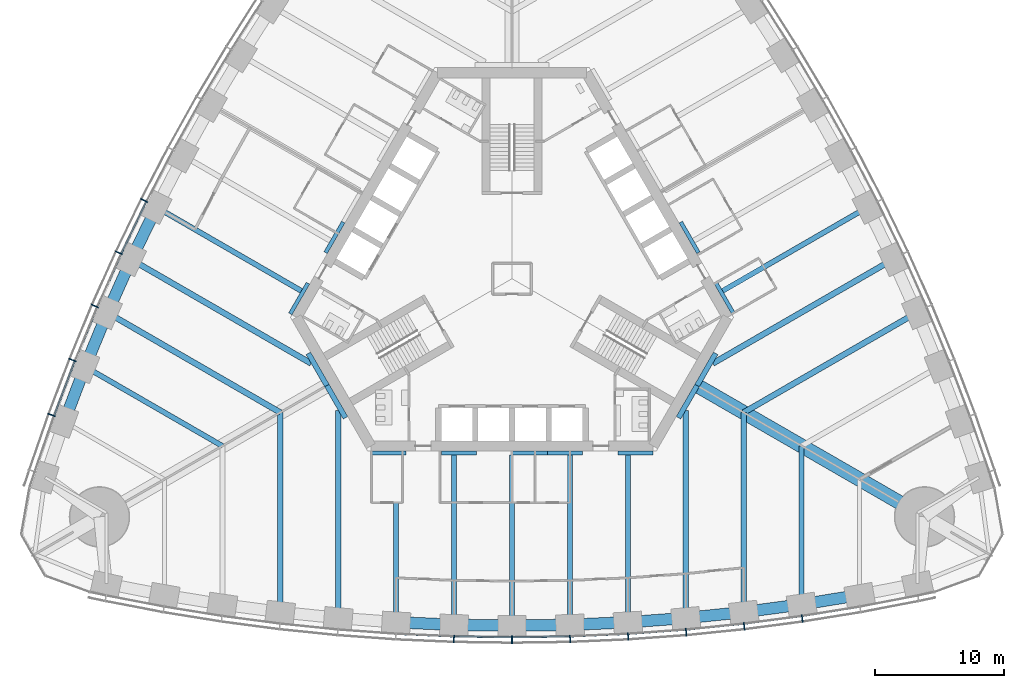
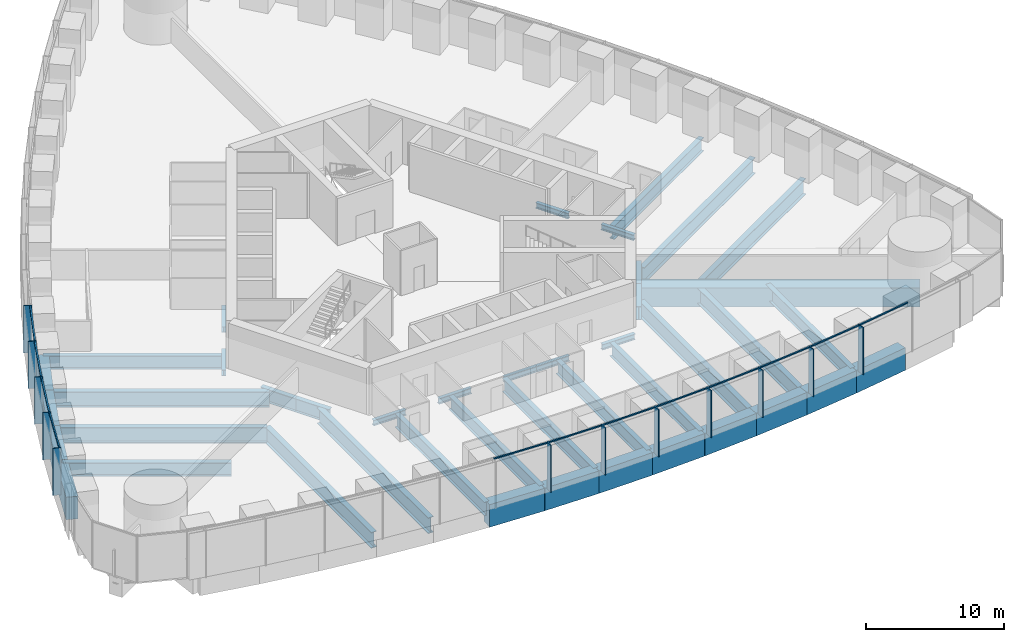
# One storey, part 3 of 18: 43 beams, 24 members, 2 elements without a shape of their own.
"""IFC4 building model written with IfcOpenShell, lengths in metres."""

from ifc_helpers import new_model, si_unit, direction, frame, origin, origin_2d, place, context, subcontext, project, spatial, rectangle, i_section, extrude, material, material_profile, profile_set, type_object, element, aggregate, save


model = new_model("IFC4")

# Units and contexts
model_context = context("Model", 3, precision=1e-05, world=origin(), true_north=direction((0.0, 1.0)))
body_context = subcontext(model_context, "Body", "Model", "MODEL_VIEW")
ifc_project = project(units=[si_unit("LENGTHUNIT", "METRE"), si_unit("AREAUNIT", "SQUARE_METRE"), si_unit("VOLUMEUNIT", "CUBIC_METRE"), si_unit("PLANEANGLEUNIT", "RADIAN"), si_unit("MASSUNIT", "GRAM", prefix="KILO")], contexts=[model_context])

# Site, building, storey
site_placement = place(None, origin())
site = spatial("IfcSite", under=ifc_project, at=site_placement, CompositionType="ELEMENT")
building_placement = place(site_placement, origin())
building = spatial("IfcBuilding", under=site, at=building_placement, Name="Trefoil Bronze Tower", CompositionType="ELEMENT")
storey_placement = place(building_placement, frame((0.0, 0.0, 71.10009765625)))
storey = spatial("IfcBuildingStorey", under=building, at=storey_placement, Name="L16", CompositionType="ELEMENT", Elevation=71.10009765625)

# Curtain wall, members
ifc_material_1 = material(Name="Tinted solar-control glass", Category="glass")
curtain_wall_type = type_object("IfcCurtainWallType", Name="Bronze office curtain wall", PredefinedType="USERDEFINED", material=ifc_material_1)
curtain_wall_1_placement = place(storey_placement, origin())
curtain_wall_1 = element("IfcCurtainWall", 1, at=curtain_wall_1_placement, inside=storey, type_object=curtain_wall_type, Name="CW-A L16 F1", ObjectType="CURTAIN WALL", PredefinedType="USERDEFINED")
ifc_material_2 = material(Name="Bronze-finish aluminium", Category="aluminium")
ifc_material_profile_1 = material_profile(ifc_material_2, rectangle(XDim=0.60009765625, YDim=0.080078125, at=origin_2d()), Name="CW-A mullion")
ifc_profile_set_1 = profile_set([ifc_material_profile_1], Name="Bronze-finish aluminium")
member_type_1 = type_object("IfcMemberType", Name="Bronze office curtain wall mullion", PredefinedType="MULLION", material=ifc_profile_set_1)
member_1_placement = place(storey_placement, frame((-4.5087890625, -27.9833984375, 0.0), z_axis=(0.0, 0.0, 1.0), x_axis=(0.029021671584, 0.999578782577, 0.0)))
member_1 = element("IfcMember", 2, at=member_1_placement, type_object=member_type_1, Name="CW-A L16 F1 mullion 8", PredefinedType="MULLION", context=body_context, shape_type="SweptSolid", body=[
    extrude(rectangle(XDim=0.60009765625, YDim=0.080078125, at=origin_2d()), origin(), (0.0, 0.0, 1.0), 4.179931640625),
])
member_2_placement = place(storey_placement, frame((0.0, -28.048828125, 0.0), z_axis=(0.0, 0.0, 1.0), x_axis=(0.0, 1.0, 0.0)))
member_2 = element("IfcMember", 3, at=member_2_placement, type_object=member_type_1, Name="CW-A L16 F1 mullion 9", PredefinedType="MULLION", context=body_context, shape_type="SweptSolid", body=[
    extrude(rectangle(XDim=0.60009765625, YDim=0.080078125, at=origin_2d()), origin(), (0.0, 0.0, 1.0), 4.179931640625),
])
member_3_placement = place(storey_placement, frame((4.5087890625, -27.9833984375, 0.0), z_axis=(0.0, 0.0, 1.0), x_axis=(-0.029021671584, 0.999578782577, 0.0)))
member_3 = element("IfcMember", 4, at=member_3_placement, type_object=member_type_1, Name="CW-A L16 F1 mullion 10", PredefinedType="MULLION", context=body_context, shape_type="SweptSolid", body=[
    extrude(rectangle(XDim=0.60009765625, YDim=0.080078125, at=origin_2d()), origin(), (0.0, 0.0, 1.0), 4.179931640625),
])
member_4_placement = place(storey_placement, frame((9.017333984375, -27.786865234375, 0.0), z_axis=(0.0, 0.0, 1.0), x_axis=(-0.058043374207, 0.998314062162, 0.0)))
member_4 = element("IfcMember", 5, at=member_4_placement, type_object=member_type_1, Name="CW-A L16 F1 mullion 11", PredefinedType="MULLION", context=body_context, shape_type="SweptSolid", body=[
    extrude(rectangle(XDim=0.60009765625, YDim=0.080078125, at=origin_2d()), origin(), (0.0, 0.0, 1.0), 4.179931640625),
])
member_5_placement = place(storey_placement, frame((13.526123046875, -27.458984375, 0.0), z_axis=(0.0, 0.0, 1.0), x_axis=(-0.087065139456, 0.996202620701, 0.0)))
member_5 = element("IfcMember", 6, at=member_5_placement, type_object=member_type_1, Name="CW-A L16 F1 mullion 12", PredefinedType="MULLION", context=body_context, shape_type="SweptSolid", body=[
    extrude(rectangle(XDim=0.60009765625, YDim=0.080078125, at=origin_2d()), origin(), (0.0, 0.0, 1.0), 4.179931640625),
])
member_6_placement = place(storey_placement, frame((18.034912109375, -26.99853515625, 0.0), z_axis=(0.0, 0.0, 1.0), x_axis=(-0.116086999973, 0.993239048989, 0.0)))
member_6 = element("IfcMember", 7, at=member_6_placement, type_object=member_type_1, Name="CW-A L16 F1 mullion 13", PredefinedType="MULLION", context=body_context, shape_type="SweptSolid", body=[
    extrude(rectangle(XDim=0.60009765625, YDim=0.080078125, at=origin_2d()), origin(), (0.0, 0.0, 1.0), 4.179931640625),
])
member_7_placement = place(storey_placement, frame((22.54345703125, -26.40478515625, 0.0), z_axis=(0.0, 0.0, 1.0), x_axis=(-0.145108990094, 0.989415676546, 0.0)))
member_7 = element("IfcMember", 8, at=member_7_placement, type_object=member_type_1, Name="CW-A L16 F1 mullion 14", PredefinedType="MULLION", context=body_context, shape_type="SweptSolid", body=[
    extrude(rectangle(XDim=0.60009765625, YDim=0.080078125, at=origin_2d()), origin(), (0.0, 0.0, 1.0), 4.179931640625),
])

curtain_wall_2_placement = place(storey_placement, origin())
curtain_wall_2 = element("IfcCurtainWall", 9, at=curtain_wall_2_placement, inside=storey, type_object=curtain_wall_type, Name="CW-A L16 F3", ObjectType="CURTAIN WALL", PredefinedType="USERDEFINED")
member_8_placement = place(storey_placement, frame((-28.57275390625, 6.084228515625, 0.0), z_axis=(0.0, 0.0, 1.0), x_axis=(0.893587025891, -0.448889994497, 0.0)))
member_8 = element("IfcMember", 10, at=member_8_placement, type_object=member_type_1, Name="CW-A L16 F3 mullion 11", PredefinedType="MULLION", context=body_context, shape_type="SweptSolid", body=[
    extrude(rectangle(XDim=0.60009765625, YDim=0.080078125, at=origin_2d()), origin(), (0.0, 0.0, 1.0), 4.179931640625),
])
member_9_placement = place(storey_placement, frame((-30.543212890625, 2.015380859375, 0.0), z_axis=(0.0, 0.0, 1.0), x_axis=(0.906269346572, -0.422700687798, 0.0)))
member_9 = element("IfcMember", 11, at=member_9_placement, type_object=member_type_1, Name="CW-A L16 F3 mullion 12", PredefinedType="MULLION", context=body_context, shape_type="SweptSolid", body=[
    extrude(rectangle(XDim=0.60009765625, YDim=0.080078125, at=origin_2d()), origin(), (0.0, 0.0, 1.0), 4.179931640625),
])
member_10_placement = place(storey_placement, frame((-32.39892578125, -2.119384765625, 0.0), z_axis=(0.0, 0.0, 1.0), x_axis=(0.918213748442, -0.396085233469, 0.0)))
member_10 = element("IfcMember", 12, at=member_10_placement, type_object=member_type_1, Name="CW-A L16 F3 mullion 13", PredefinedType="MULLION", context=body_context, shape_type="SweptSolid", body=[
    extrude(rectangle(XDim=0.60009765625, YDim=0.080078125, at=origin_2d()), origin(), (0.0, 0.0, 1.0), 4.179931640625),
])
member_11_placement = place(storey_placement, frame((-34.138916015625, -6.32080078125, 0.0), z_axis=(0.0, 0.0, 1.0), x_axis=(0.929413605838, -0.369039766534, 0.0)))
member_11 = element("IfcMember", 13, at=member_11_placement, type_object=member_type_1, Name="CW-A L16 F3 mullion 14", PredefinedType="MULLION", context=body_context, shape_type="SweptSolid", body=[
    extrude(rectangle(XDim=0.60009765625, YDim=0.080078125, at=origin_2d()), origin(), (0.0, 0.0, 1.0), 4.179931640625),
])
member_12_placement = place(storey_placement, frame((-35.761962890625, -10.590087890625, 0.0), z_axis=(0.0, 0.0, 1.0), x_axis=(0.939860248316, -0.341559238839, 0.0)))
member_12 = element("IfcMember", 14, at=member_12_placement, type_object=member_type_1, Name="CW-A L16 F3 mullion 15", PredefinedType="MULLION", context=body_context, shape_type="SweptSolid", body=[
    extrude(rectangle(XDim=0.60009765625, YDim=0.080078125, at=origin_2d()), origin(), (0.0, 0.0, 1.0), 4.179931640625),
])

# Member
ifc_material_3 = material(Name="Bronze-finish aluminium", Category="aluminium")
ifc_material_profile_2 = material_profile(ifc_material_3, rectangle(XDim=0.1201171875, YDim=0.10009765625, at=origin_2d()), Name="CW-A transom")
ifc_profile_set_2 = profile_set([ifc_material_profile_2], Name="Bronze-finish aluminium")
member_type_2 = type_object("IfcMemberType", Name="Bronze office curtain wall transom", PredefinedType="USERDEFINED", material=ifc_profile_set_2)
member_13_placement = place(storey_placement, frame((-8.96435546875, -27.589111328125, 4.1298828125), z_axis=(0.999054074786, -0.043485119914, 0.0), x_axis=(0.043485119914, 0.999054074786, 0.0)))
member_13 = element("IfcMember", 15, at=member_13_placement, type_object=member_type_2, Name="CW-A L16 F1 transom 7", ObjectType="TRANSOM", PredefinedType="USERDEFINED", context=body_context, shape_type="SweptSolid", body=[
    extrude(rectangle(XDim=0.1201171875, YDim=0.10009765625, at=origin_2d()), origin(), (0.0, 0.0, 1.0), 4.424072265625),
])

member_14_placement = place(storey_placement, frame((-4.46142578125, -27.783935546875, 4.1298828125), z_axis=(0.999894497273, -0.014525643658, 0.0), x_axis=(0.014525643658, 0.999894497273, 0.0)))
member_14 = element("IfcMember", 16, at=member_14_placement, type_object=member_type_2, Name="CW-A L16 F1 transom 8", ObjectType="TRANSOM", PredefinedType="USERDEFINED", context=body_context, shape_type="SweptSolid", body=[
    extrude(rectangle(XDim=0.1201171875, YDim=0.10009765625, at=origin_2d()), origin(), (0.0, 0.0, 1.0), 4.42041015625),
])

member_15_placement = place(storey_placement, frame((0.04150390625, -27.84814453125, 4.1298828125), z_axis=(0.999894497273, 0.014525643658, 0.0), x_axis=(-0.014525643658, 0.999894497273, 0.0)))
member_15 = element("IfcMember", 17, at=member_15_placement, type_object=member_type_2, Name="CW-A L16 F1 transom 9", ObjectType="TRANSOM", PredefinedType="USERDEFINED", context=body_context, shape_type="SweptSolid", body=[
    extrude(rectangle(XDim=0.1201171875, YDim=0.10009765625, at=origin_2d()), origin(), (0.0, 0.0, 1.0), 4.42041015625),
])

member_16_placement = place(storey_placement, frame((4.54443359375, -27.781494140625, 4.1298828125), z_axis=(0.999054074786, 0.043485119914, 0.0), x_axis=(-0.043485119914, 0.999054074786, 0.0)))
member_16 = element("IfcMember", 18, at=member_16_placement, type_object=member_type_2, Name="CW-A L16 F1 transom 10", ObjectType="TRANSOM", PredefinedType="USERDEFINED", context=body_context, shape_type="SweptSolid", body=[
    extrude(rectangle(XDim=0.1201171875, YDim=0.10009765625, at=origin_2d()), origin(), (0.0, 0.0, 1.0), 4.424072265625),
])

member_17_placement = place(storey_placement, frame((9.047119140625, -27.584228515625, 4.1298828125), z_axis=(0.997364729945, 0.07255064067, 0.0), x_axis=(-0.07255064067, 0.997364729945, 0.0)))
member_17 = element("IfcMember", 19, at=member_17_placement, type_object=member_type_2, Name="CW-A L16 F1 transom 11", ObjectType="TRANSOM", PredefinedType="USERDEFINED", context=body_context, shape_type="SweptSolid", body=[
    extrude(rectangle(XDim=0.1201171875, YDim=0.10009765625, at=origin_2d()), origin(), (0.0, 0.0, 1.0), 4.431884765625),
])

member_18_placement = place(storey_placement, frame((13.550048828125, -27.25537109375, 4.1298828125), z_axis=(0.994831650915, 0.101538102888, 0.0), x_axis=(-0.101538102888, 0.994831650915, 0.0)))
member_18 = element("IfcMember", 20, at=member_18_placement, type_object=member_type_2, Name="CW-A L16 F1 transom 12", ObjectType="TRANSOM", PredefinedType="USERDEFINED", context=body_context, shape_type="SweptSolid", body=[
    extrude(rectangle(XDim=0.1201171875, YDim=0.10009765625, at=origin_2d()), origin(), (0.0, 0.0, 1.0), 4.443359375),
])

member_19_placement = place(storey_placement, frame((18.052734375, -26.79443359375, 4.1298828125), z_axis=(0.991436581643, 0.13058906761, 0.0), x_axis=(-0.13058906761, 0.991436581643, 0.0)))
member_19 = element("IfcMember", 21, at=member_19_placement, type_object=member_type_2, Name="CW-A L16 F1 transom 13", ObjectType="TRANSOM", PredefinedType="USERDEFINED", context=body_context, shape_type="SweptSolid", body=[
    extrude(rectangle(XDim=0.1201171875, YDim=0.10009765625, at=origin_2d()), origin(), (0.0, 0.0, 1.0), 4.458740234375),
])

member_20_placement = place(storey_placement, frame((22.555419921875, -26.2001953125, 4.1298828125), z_axis=(0.987179401487, 0.159614627398, 0.0), x_axis=(-0.159614627398, 0.987179401487, 0.0)))
member_20 = element("IfcMember", 22, at=member_20_placement, type_object=member_type_2, Name="CW-A L16 F1 transom 14", ObjectType="TRANSOM", PredefinedType="USERDEFINED", context=body_context, shape_type="SweptSolid", body=[
    extrude(rectangle(XDim=0.1201171875, YDim=0.10009765625, at=origin_2d()), origin(), (0.0, 0.0, 1.0), 4.478515625),
])

aggregate(curtain_wall_1, [member_1, member_2, member_3, member_4, member_5, member_6, member_7, member_13, member_14, member_15, member_16, member_17, member_18, member_19, member_20])

member_21_placement = place(storey_placement, frame((-28.412109375, 5.95703125, 4.1298828125), z_axis=(-0.435851763293, -0.900018466719, 0.0), x_axis=(0.900018466719, -0.435851763293, 0.0)))
member_21 = element("IfcMember", 23, at=member_21_placement, type_object=member_type_2, Name="CW-A L16 F3 transom 11", ObjectType="TRANSOM", PredefinedType="USERDEFINED", context=body_context, shape_type="SweptSolid", body=[
    extrude(rectangle(XDim=0.1201171875, YDim=0.10009765625, at=origin_2d()), origin(), (0.0, 0.0, 1.0), 4.431884765625),
])

member_22_placement = place(storey_placement, frame((-30.37890625, 1.89306640625, 4.1298828125), z_axis=(-0.409459746452, -0.912328184392, 0.0), x_axis=(0.912328184392, -0.409459746452, 0.0)))
member_22 = element("IfcMember", 24, at=member_22_placement, type_object=member_type_2, Name="CW-A L16 F3 transom 12", ObjectType="TRANSOM", PredefinedType="USERDEFINED", context=body_context, shape_type="SweptSolid", body=[
    extrude(rectangle(XDim=0.1201171875, YDim=0.10009765625, at=origin_2d()), origin(), (0.0, 0.0, 1.0), 4.443359375),
])

member_23_placement = place(storey_placement, frame((-32.231201171875, -2.23681640625, 4.1298828125), z_axis=(-0.382616149417, -0.923907399151, 0.0), x_axis=(0.923907399151, -0.382616149417, 0.0)))
member_23 = element("IfcMember", 25, at=member_23_placement, type_object=member_type_2, Name="CW-A L16 F3 transom 13", ObjectType="TRANSOM", PredefinedType="USERDEFINED", context=body_context, shape_type="SweptSolid", body=[
    extrude(rectangle(XDim=0.1201171875, YDim=0.10009765625, at=origin_2d()), origin(), (0.0, 0.0, 1.0), 4.458984375),
])

member_24_placement = place(storey_placement, frame((-33.9677734375, -6.433349609375, 4.1298828125), z_axis=(-0.355367327392, -0.934726731522, 0.0), x_axis=(0.934726731522, -0.355367327392, 0.0)))
member_24 = element("IfcMember", 26, at=member_24_placement, type_object=member_type_2, Name="CW-A L16 F3 transom 14", ObjectType="TRANSOM", PredefinedType="USERDEFINED", context=body_context, shape_type="SweptSolid", body=[
    extrude(rectangle(XDim=0.1201171875, YDim=0.10009765625, at=origin_2d()), origin(), (0.0, 0.0, 1.0), 4.478515625),
])

aggregate(curtain_wall_2, [member_8, member_9, member_10, member_11, member_12, member_21, member_22, member_23, member_24])

# Beams
ifc_material_4 = material(Name="Steel C355", Category="steel")
ifc_material_profile_3 = material_profile(ifc_material_4, i_section(OverallWidth=0.300048828125, OverallDepth=0.5, WebThickness=0.014404296875, FlangeThickness=0.028076171875, FilletRadius=0.027099609375, at=origin_2d()), Name="HEB 500")
ifc_profile_set_3 = profile_set([ifc_material_profile_3], Name="Steel C355")
beam_type_1 = type_object("IfcBeamType", Name="Core seat beam HEB 500", PredefinedType="BEAM", material=ifc_profile_set_3)
for number, where, z_axis, x_axis, name in (
    (27, (-10.9697265625, -13.550048828125, -0.4501953125), (1.0, 0.0, 0.0), (0.0, 1.0, 0.0), "Core seat beam F1/-2 L16"),
    (28, (-5.48486328125, -13.550048828125, -0.4501953125), (1.0, 0.0, 0.0), (0.0, 1.0, 0.0), "Core seat beam F1/-1 L16"),
    (29, (0.0, -13.550048828125, -0.4501953125), (1.0, 0.0, 0.0), (0.0, 1.0, 0.0), "Core seat beam F1/+0 L16"),
    (30, (2.742431640625, -13.550048828125, -0.4501953125), (1.0, 0.0, 0.0), (0.0, 1.0, 0.0), "Core seat beam F1/+1 L16"),
    (31, (8.227294921875, -13.550048828125, -0.4501953125), (1.0, 0.0, 0.0), (0.0, 1.0, 0.0), "Core seat beam F1/+2 L16"),
    (32, (17.219482421875, -2.72509765625, -0.4501953125), (-0.500035825175, 0.866004719122, 0.0), (-0.866004719122, -0.500035825175, 0.0), "Core seat beam F2/-2 L16"),
    (33, (14.47705078125, 2.02490234375, -0.4501953125), (-0.499969057507, 0.866043267704, 0.0), (-0.866043267704, -0.499969057507, 0.0), "Core seat beam F2/-1 L16"),
    (34, (-13.10595703125, 4.39990234375, -0.4501953125), (-0.499969057507, -0.866043267704, 0.0), (0.866043267704, -0.499969057507, 0.0), "Core seat beam F3/+1 L16"),
    (35, (-15.84814453125, -0.35009765625, -0.4501953125), (-0.500035825175, -0.866004719122, 0.0), (0.866004719122, -0.500035825175, 0.0), "Core seat beam F3/+2 L16"),
):
    element("IfcBeam", number, at=place(storey_placement, frame(where, z_axis=z_axis, x_axis=x_axis)), inside=storey, type_object=beam_type_1, Name=name, PredefinedType="BEAM", context=body_context, shape_type="SweptSolid", body=[
        extrude(i_section(OverallWidth=0.300048828125, OverallDepth=0.5, WebThickness=0.014404296875, FlangeThickness=0.028076171875, FilletRadius=0.027099609375, at=origin_2d()), origin(), (0.0, 0.0, 1.0), 2.742431640625),
    ])
ifc_material_5 = material(Name="Steel C355", Category="steel")
ifc_material_profile_4 = material_profile(ifc_material_5, i_section(OverallWidth=0.39990234375, OverallDepth=1.199951171875, WebThickness=0.02001953125, FlangeThickness=0.0400390625, FilletRadius=0.010009765625, at=origin_2d()), Name="WPG 1200")
ifc_profile_set_4 = profile_set([ifc_material_profile_4], Name="Steel C355")
beam_type_2 = type_object("IfcBeamType", Name="Core seat beam WPG 1200", PredefinedType="BEAM", material=ifc_profile_set_4)
for number, where, z_axis, x_axis, name in (
    (36, (-14.3759765625, -8.300048828125, -0.800048828125), (0.499995765644, -0.866027848477, 0.0), (0.866027848477, 0.499995765644, 0.0), "Core seat beam F1/-3 L16"),
    (37, (12.9326171875, -10.800048828125, -0.800048828125), (0.499995765644, 0.866027848477, 0.0), (-0.866027848477, 0.499995765644, 0.0), "Core seat beam F1/+3 L16"),
    (38, (14.3759765625, -8.300048828125, -0.800048828125), (0.499995765644, 0.866027848477, 0.0), (-0.866027848477, 0.499995765644, 0.0), "Core seat beam F2/-3 L16"),
    (39, (-15.8193359375, -5.800048828125, -0.800048828125), (0.499995765644, -0.866027848477, 0.0), (0.866027848477, 0.499995765644, 0.0), "Core seat beam F3/+3 L16"),
):
    element("IfcBeam", number, at=place(storey_placement, frame(where, z_axis=z_axis, x_axis=x_axis)), inside=storey, type_object=beam_type_2, Name=name, PredefinedType="BEAM", context=body_context, shape_type="SweptSolid", body=[
        extrude(i_section(OverallWidth=0.39990234375, OverallDepth=1.199951171875, WebThickness=0.02001953125, FlangeThickness=0.0400390625, FilletRadius=0.010009765625, at=origin_2d()), origin(), (0.0, 0.0, 1.0), 2.88671875),
    ])
ifc_material_6 = material(Name="Concrete B80", Category="concrete")
ifc_material_profile_5 = material_profile(ifc_material_6, rectangle(XDim=1.10009765625, YDim=1.699951171875, at=origin_2d()), Name="RC 1100x1700")
ifc_profile_set_5 = profile_set([ifc_material_profile_5], Name="Concrete B80")
beam_type_3 = type_object("IfcBeamType", Name="Corner girder RC 1100x1700", PredefinedType="BEAM", material=ifc_profile_set_5)
beam_1_placement = place(storey_placement, frame((14.202880859375, -8.199951171875, -1.050048828125), z_axis=(0.866023947468, -0.500002522405, 0.0), x_axis=(0.500002522405, 0.866023947468, 0.0)))
element("IfcBeam", 40, at=beam_1_placement, inside=storey, type_object=beam_type_3, Name="Corner girder K1 L16", PredefinedType="BEAM", context=body_context, shape_type="SweptSolid", body=[
    extrude(rectangle(XDim=1.10009765625, YDim=1.699951171875, at=origin_2d()), origin(), (0.0, 0.0, 1.0), 20.60009765625),
])
ifc_material_7 = material(Name="Steel C355", Category="steel")
ifc_material_profile_6 = material_profile(ifc_material_7, i_section(OverallWidth=0.39990234375, OverallDepth=1.199951171875, WebThickness=0.02001953125, FlangeThickness=0.0400390625, FilletRadius=0.010009765625, at=origin_2d()), Name="WPG 1200")
ifc_profile_set_6 = profile_set([ifc_material_profile_6], Name="Steel C355")
beam_type_4 = type_object("IfcBeamType", Name="Floor beam WPG 1200", PredefinedType="BEAM", material=ifc_profile_set_6)
beam_2_placement = place(storey_placement, frame((-9.0, -26.68603515625, -0.800048828125), z_axis=(0.0, 1.0, 0.0), x_axis=(-1.0, 0.0, 0.0)))
element("IfcBeam", 41, at=beam_2_placement, inside=storey, type_object=beam_type_4, Name="Floor beam F1/-2 L16", PredefinedType="BEAM", context=body_context, shape_type="SweptSolid", body=[
    extrude(i_section(OverallWidth=0.39990234375, OverallDepth=1.199951171875, WebThickness=0.02001953125, FlangeThickness=0.0400390625, FilletRadius=0.010009765625, at=origin_2d()), origin(), (0.0, 0.0, 1.0), 12.986083984375),
])
beam_3_placement = place(storey_placement, frame((-4.5, -26.883056640625, -0.800048828125), z_axis=(0.0, 1.0, 0.0), x_axis=(-1.0, 0.0, 0.0)))
element("IfcBeam", 42, at=beam_3_placement, inside=storey, type_object=beam_type_4, Name="Floor beam F1/-1 L16", PredefinedType="BEAM", context=body_context, shape_type="SweptSolid", body=[
    extrude(i_section(OverallWidth=0.39990234375, OverallDepth=1.199951171875, WebThickness=0.02001953125, FlangeThickness=0.0400390625, FilletRadius=0.010009765625, at=origin_2d()), origin(), (0.0, 0.0, 1.0), 13.18310546875),
])
beam_4_placement = place(storey_placement, frame((0.0, -26.94873046875, -0.800048828125), z_axis=(0.0, 1.0, 0.0), x_axis=(-1.0, 0.0, 0.0)))
element("IfcBeam", 43, at=beam_4_placement, inside=storey, type_object=beam_type_4, Name="Floor beam F1/+0 L16", PredefinedType="BEAM", context=body_context, shape_type="SweptSolid", body=[
    extrude(i_section(OverallWidth=0.39990234375, OverallDepth=1.199951171875, WebThickness=0.02001953125, FlangeThickness=0.0400390625, FilletRadius=0.010009765625, at=origin_2d()), origin(), (0.0, 0.0, 1.0), 13.248779296875),
])
beam_5_placement = place(storey_placement, frame((4.5, -26.883056640625, -0.800048828125), z_axis=(0.0, 1.0, 0.0), x_axis=(-1.0, 0.0, 0.0)))
element("IfcBeam", 44, at=beam_5_placement, inside=storey, type_object=beam_type_4, Name="Floor beam F1/+1 L16", PredefinedType="BEAM", context=body_context, shape_type="SweptSolid", body=[
    extrude(i_section(OverallWidth=0.39990234375, OverallDepth=1.199951171875, WebThickness=0.02001953125, FlangeThickness=0.0400390625, FilletRadius=0.010009765625, at=origin_2d()), origin(), (0.0, 0.0, 1.0), 13.18310546875),
])
beam_6_placement = place(storey_placement, frame((9.0, -26.68603515625, -0.800048828125), z_axis=(0.0, 1.0, 0.0), x_axis=(-1.0, 0.0, 0.0)))
element("IfcBeam", 45, at=beam_6_placement, inside=storey, type_object=beam_type_4, Name="Floor beam F1/+2 L16", PredefinedType="BEAM", context=body_context, shape_type="SweptSolid", body=[
    extrude(i_section(OverallWidth=0.39990234375, OverallDepth=1.199951171875, WebThickness=0.02001953125, FlangeThickness=0.0400390625, FilletRadius=0.010009765625, at=origin_2d()), origin(), (0.0, 0.0, 1.0), 12.986083984375),
])
beam_7_placement = place(storey_placement, frame((22.5, -25.29931640625, -0.800048828125), z_axis=(0.0, 1.0, 0.0), x_axis=(-1.0, 0.0, 0.0)))
element("IfcBeam", 46, at=beam_7_placement, inside=storey, type_object=beam_type_4, Name="Floor beam F1/+5 L16", PredefinedType="BEAM", context=body_context, shape_type="SweptSolid", body=[
    extrude(i_section(OverallWidth=0.39990234375, OverallDepth=1.199951171875, WebThickness=0.02001953125, FlangeThickness=0.0400390625, FilletRadius=0.010009765625, at=origin_2d()), origin(), (0.0, 0.0, 1.0), 12.308837890625),
])
for number, where, z_axis, x_axis, name in (
    (47, (27.61083984375, 5.548828125, -0.800048828125), (-0.866022474361, -0.500005073876, 0.0), (0.500005073876, -0.866022474361, 0.0), "Floor beam F2/-2 L16"),
    (48, (-27.61083984375, 5.548828125, -0.800048828125), (0.866022474361, -0.500005073876, 0.0), (0.500005073876, 0.866022474361, 0.0), "Floor beam F3/+2 L16"),
):
    element("IfcBeam", number, at=place(storey_placement, frame(where, z_axis=z_axis, x_axis=x_axis)), inside=storey, type_object=beam_type_4, Name=name, PredefinedType="BEAM", context=body_context, shape_type="SweptSolid", body=[
        extrude(i_section(OverallWidth=0.39990234375, OverallDepth=1.199951171875, WebThickness=0.02001953125, FlangeThickness=0.0400390625, FilletRadius=0.010009765625, at=origin_2d()), origin(), (0.0, 0.0, 1.0), 12.986083984375),
    ])
beam_8_placement = place(storey_placement, frame((-33.159912109375, -6.8359375, -0.800048828125), z_axis=(0.866024070878, -0.500002308654, 0.0), x_axis=(0.500002308654, 0.866024070878, 0.0)))
element("IfcBeam", 49, at=beam_8_placement, inside=storey, type_object=beam_type_4, Name="Floor beam F3/+5 L16", PredefinedType="BEAM", context=body_context, shape_type="SweptSolid", body=[
    extrude(i_section(OverallWidth=0.39990234375, OverallDepth=1.199951171875, WebThickness=0.02001953125, FlangeThickness=0.0400390625, FilletRadius=0.010009765625, at=origin_2d()), origin(), (0.0, 0.0, 1.0), 12.30908203125),
])
ifc_material_8 = material(Name="Steel C355", Category="steel")
ifc_material_profile_7 = material_profile(ifc_material_8, i_section(OverallWidth=0.449951171875, OverallDepth=1.39990234375, WebThickness=0.02294921875, FlangeThickness=0.044921875, FilletRadius=0.011962890625, at=origin_2d()), Name="WPG 1400")
ifc_profile_set_7 = profile_set([ifc_material_profile_7], Name="Steel C355")
beam_type_5 = type_object("IfcBeamType", Name="Floor beam WPG 1400", PredefinedType="BEAM", material=ifc_profile_set_7)
beam_9_placement = place(storey_placement, frame((-18.0, -25.895263671875, -0.900146484375), z_axis=(0.0, 1.0, 0.0), x_axis=(-1.0, 0.0, 0.0)))
element("IfcBeam", 50, at=beam_9_placement, inside=storey, type_object=beam_type_5, Name="Floor beam F1/-4 L16", PredefinedType="BEAM", context=body_context, shape_type="SweptSolid", body=[
    extrude(i_section(OverallWidth=0.449951171875, OverallDepth=1.39990234375, WebThickness=0.02294921875, FlangeThickness=0.044921875, FilletRadius=0.011962890625, at=origin_2d()), origin(), (0.0, 0.0, 1.0), 15.5029296875),
])
for number, where, z_axis, x_axis, name in (
    (51, (-13.5, -26.35693359375, -0.900146484375), (0.0, 1.0, 0.0), (-1.0, 0.0, 0.0), "Floor beam F1/-3 L16"),
    (52, (13.5, -26.35693359375, -0.900146484375), (0.0, 1.0, 0.0), (-1.0, 0.0, 0.0), "Floor beam F1/+3 L16"),
):
    element("IfcBeam", number, at=place(storey_placement, frame(where, z_axis=z_axis, x_axis=x_axis)), inside=storey, type_object=beam_type_5, Name=name, PredefinedType="BEAM", context=body_context, shape_type="SweptSolid", body=[
        extrude(i_section(OverallWidth=0.449951171875, OverallDepth=1.39990234375, WebThickness=0.02294921875, FlangeThickness=0.044921875, FilletRadius=0.011962890625, at=origin_2d()), origin(), (0.0, 0.0, 1.0), 16.1396484375),
    ])
beam_10_placement = place(storey_placement, frame((18.0, -25.895263671875, -0.900146484375), z_axis=(0.0, 1.0, 0.0), x_axis=(-1.0, 0.0, 0.0)))
element("IfcBeam", 53, at=beam_10_placement, inside=storey, type_object=beam_type_5, Name="Floor beam F1/+4 L16", PredefinedType="BEAM", context=body_context, shape_type="SweptSolid", body=[
    extrude(i_section(OverallWidth=0.449951171875, OverallDepth=1.39990234375, WebThickness=0.02294921875, FlangeThickness=0.044921875, FilletRadius=0.011962890625, at=origin_2d()), origin(), (0.0, 0.0, 1.0), 15.5029296875),
])
beam_11_placement = place(storey_placement, frame((31.42578125, -2.640869140625, -0.900146484375), z_axis=(-0.866022989816, -0.500004181093, 0.0), x_axis=(0.500004181093, -0.866022989816, 0.0)))
element("IfcBeam", 54, at=beam_11_placement, inside=storey, type_object=beam_type_5, Name="Floor beam F2/-4 L16", PredefinedType="BEAM", context=body_context, shape_type="SweptSolid", body=[
    extrude(i_section(OverallWidth=0.449951171875, OverallDepth=1.39990234375, WebThickness=0.02294921875, FlangeThickness=0.044921875, FilletRadius=0.011962890625, at=origin_2d()), origin(), (0.0, 0.0, 1.0), 15.502685546875),
])
for number, where, z_axis, x_axis, name in (
    (55, (29.575927734375, 1.487060546875, -0.900146484375), (-0.866028401131, -0.499994808408, 0.0), (0.499994808408, -0.866028401131, 0.0), "Floor beam F2/-3 L16"),
    (56, (-29.575927734375, 1.487060546875, -0.900146484375), (0.866028401131, -0.499994808408, 0.0), (0.499994808408, 0.866028401131, 0.0), "Floor beam F3/+3 L16"),
):
    element("IfcBeam", number, at=place(storey_placement, frame(where, z_axis=z_axis, x_axis=x_axis)), inside=storey, type_object=beam_type_5, Name=name, PredefinedType="BEAM", context=body_context, shape_type="SweptSolid", body=[
        extrude(i_section(OverallWidth=0.449951171875, OverallDepth=1.39990234375, WebThickness=0.02294921875, FlangeThickness=0.044921875, FilletRadius=0.011962890625, at=origin_2d()), origin(), (0.0, 0.0, 1.0), 16.139892578125),
    ])
beam_12_placement = place(storey_placement, frame((-31.42578125, -2.640869140625, -0.900146484375), z_axis=(0.866022989816, -0.500004181093, 0.0), x_axis=(0.500004181093, 0.866022989816, 0.0)))
element("IfcBeam", 57, at=beam_12_placement, inside=storey, type_object=beam_type_5, Name="Floor beam F3/+4 L16", PredefinedType="BEAM", context=body_context, shape_type="SweptSolid", body=[
    extrude(i_section(OverallWidth=0.449951171875, OverallDepth=1.39990234375, WebThickness=0.02294921875, FlangeThickness=0.044921875, FilletRadius=0.011962890625, at=origin_2d()), origin(), (0.0, 0.0, 1.0), 15.502685546875),
])
ifc_material_9 = material(Name="Concrete B80", Category="concrete")
ifc_material_profile_8 = material_profile(ifc_material_9, rectangle(XDim=0.89990234375, YDim=2.0, at=origin_2d()), Name="RC 900x2000")
ifc_profile_set_8 = profile_set([ifc_material_profile_8], Name="Concrete B80")
beam_type_6 = type_object("IfcBeamType", Name="Spandrel beam RC 900x2000", PredefinedType="SPANDREL", material=ifc_profile_set_8)
beam_13_placement = place(storey_placement, frame((-9.0, -26.68603515625, -1.2001953125), z_axis=(0.999042919826, -0.043740648671, 0.0), x_axis=(0.043740648671, 0.999042919826, 0.0)))
element("IfcBeam", 58, at=beam_13_placement, inside=storey, type_object=beam_type_6, Name="Spandrel F1.7 L16", PredefinedType="SPANDREL", context=body_context, shape_type="SweptSolid", body=[
    extrude(rectangle(XDim=0.89990234375, YDim=2.0, at=origin_2d()), origin(), (0.0, 0.0, 1.0), 4.50439453125),
])
for number, where, z_axis, x_axis, name in (
    (59, (-4.5, -26.883056640625, -1.2001953125), (0.999893521905, -0.014592630067, 0.0), (0.014592630067, 0.999893521905, 0.0), "Spandrel F1.8 L16"),
    (60, (0.0, -26.94873046875, -1.2001953125), (0.999893521905, 0.014592630067, 0.0), (-0.014592630067, 0.999893521905, 0.0), "Spandrel F1.9 L16"),
):
    element("IfcBeam", number, at=place(storey_placement, frame(where, z_axis=z_axis, x_axis=x_axis)), inside=storey, type_object=beam_type_6, Name=name, PredefinedType="SPANDREL", context=body_context, shape_type="SweptSolid", body=[
        extrude(rectangle(XDim=0.89990234375, YDim=2.0, at=origin_2d()), origin(), (0.0, 0.0, 1.0), 4.50048828125),
    ])
beam_14_placement = place(storey_placement, frame((4.5, -26.883056640625, -1.2001953125), z_axis=(0.999042919826, 0.043740648671, 0.0), x_axis=(-0.043740648671, 0.999042919826, 0.0)))
element("IfcBeam", 61, at=beam_14_placement, inside=storey, type_object=beam_type_6, Name="Spandrel F1.10 L16", PredefinedType="SPANDREL", context=body_context, shape_type="SweptSolid", body=[
    extrude(rectangle(XDim=0.89990234375, YDim=2.0, at=origin_2d()), origin(), (0.0, 0.0, 1.0), 4.50439453125),
])
beam_15_placement = place(storey_placement, frame((9.0, -26.68603515625, -1.2001953125), z_axis=(0.997336412354, 0.072938882588, 0.0), x_axis=(-0.072938882588, 0.997336412354, 0.0)))
element("IfcBeam", 62, at=beam_15_placement, inside=storey, type_object=beam_type_6, Name="Spandrel F1.11 L16", PredefinedType="SPANDREL", context=body_context, shape_type="SweptSolid", body=[
    extrude(rectangle(XDim=0.89990234375, YDim=2.0, at=origin_2d()), origin(), (0.0, 0.0, 1.0), 4.511962890625),
])
beam_16_placement = place(storey_placement, frame((13.5, -26.35693359375, -1.2001953125), z_axis=(0.994778488621, 0.102057623805, 0.0), x_axis=(-0.102057623805, 0.994778488621, 0.0)))
element("IfcBeam", 63, at=beam_16_placement, inside=storey, type_object=beam_type_6, Name="Spandrel F1.12 L16", PredefinedType="SPANDREL", context=body_context, shape_type="SweptSolid", body=[
    extrude(rectangle(XDim=0.89990234375, YDim=2.0, at=origin_2d()), origin(), (0.0, 0.0, 1.0), 4.523681640625),
])
beam_17_placement = place(storey_placement, frame((18.0, -25.895263671875, -1.2001953125), z_axis=(0.991344474846, 0.131286450906, 0.0), x_axis=(-0.131286450906, 0.991344474846, 0.0)))
element("IfcBeam", 64, at=beam_17_placement, inside=storey, type_object=beam_type_6, Name="Spandrel F1.13 L16", PredefinedType="SPANDREL", context=body_context, shape_type="SweptSolid", body=[
    extrude(rectangle(XDim=0.89990234375, YDim=2.0, at=origin_2d()), origin(), (0.0, 0.0, 1.0), 4.539306640625),
])
beam_18_placement = place(storey_placement, frame((22.5, -25.29931640625, -1.2001953125), z_axis=(0.987045951254, 0.160437807615, 0.0), x_axis=(-0.160437807615, 0.987045951254, 0.0)))
element("IfcBeam", 65, at=beam_18_placement, inside=storey, type_object=beam_type_6, Name="Spandrel F1.14 L16", PredefinedType="SPANDREL", context=body_context, shape_type="SweptSolid", body=[
    extrude(rectangle(XDim=0.89990234375, YDim=2.0, at=origin_2d()), origin(), (0.0, 0.0, 1.0), 4.55908203125),
])
beam_19_placement = place(storey_placement, frame((-27.61083984375, 5.548828125, -1.2001953125), z_axis=(-0.435510013583, -0.900183885697, 0.0), x_axis=(0.900183885697, -0.435510013583, 0.0)))
element("IfcBeam", 66, at=beam_19_placement, inside=storey, type_object=beam_type_6, Name="Spandrel F3.11 L16", PredefinedType="SPANDREL", context=body_context, shape_type="SweptSolid", body=[
    extrude(rectangle(XDim=0.89990234375, YDim=2.0, at=origin_2d()), origin(), (0.0, 0.0, 1.0), 4.51220703125),
])
beam_20_placement = place(storey_placement, frame((-29.575927734375, 1.487060546875, -1.2001953125), z_axis=(-0.408945873044, -0.912558640812, 0.0), x_axis=(0.912558640812, -0.408945873044, 0.0)))
element("IfcBeam", 67, at=beam_20_placement, inside=storey, type_object=beam_type_6, Name="Spandrel F3.12 L16", PredefinedType="SPANDREL", context=body_context, shape_type="SweptSolid", body=[
    extrude(rectangle(XDim=0.89990234375, YDim=2.0, at=origin_2d()), origin(), (0.0, 0.0, 1.0), 4.5234375),
])
beam_21_placement = place(storey_placement, frame((-31.42578125, -2.640869140625, -1.2001953125), z_axis=(-0.382020825144, -0.924153715113, 0.0), x_axis=(0.924153715113, -0.382020825144, 0.0)))
element("IfcBeam", 68, at=beam_21_placement, inside=storey, type_object=beam_type_6, Name="Spandrel F3.13 L16", PredefinedType="SPANDREL", context=body_context, shape_type="SweptSolid", body=[
    extrude(rectangle(XDim=0.89990234375, YDim=2.0, at=origin_2d()), origin(), (0.0, 0.0, 1.0), 4.539306640625),
])
beam_22_placement = place(storey_placement, frame((-33.159912109375, -6.8359375, -1.2001953125), z_axis=(-0.354571899767, -0.935028752443, 0.0), x_axis=(0.935028752443, -0.354571899767, 0.0)))
element("IfcBeam", 69, at=beam_22_placement, inside=storey, type_object=beam_type_6, Name="Spandrel F3.14 L16", PredefinedType="SPANDREL", context=body_context, shape_type="SweptSolid", body=[
    extrude(rectangle(XDim=0.89990234375, YDim=2.0, at=origin_2d()), origin(), (0.0, 0.0, 1.0), 4.558837890625),
])

save(model, "model.ifc")
